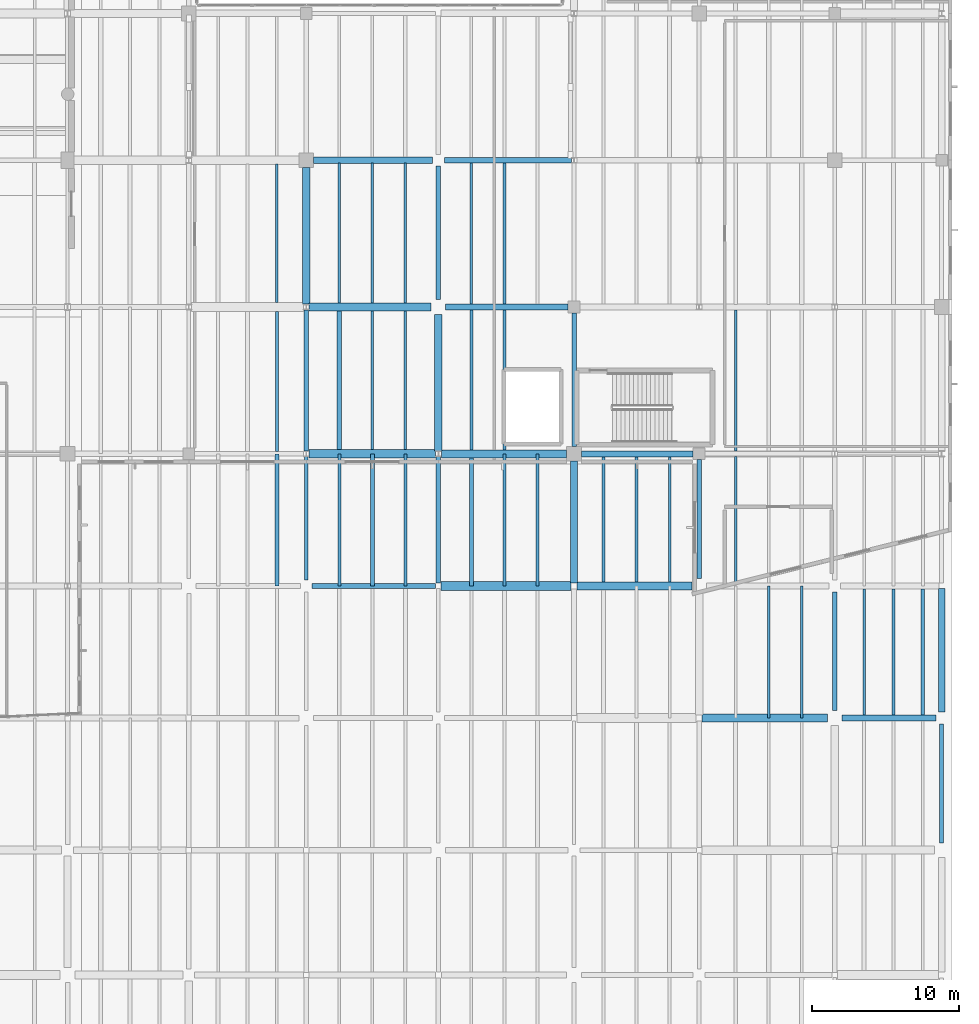
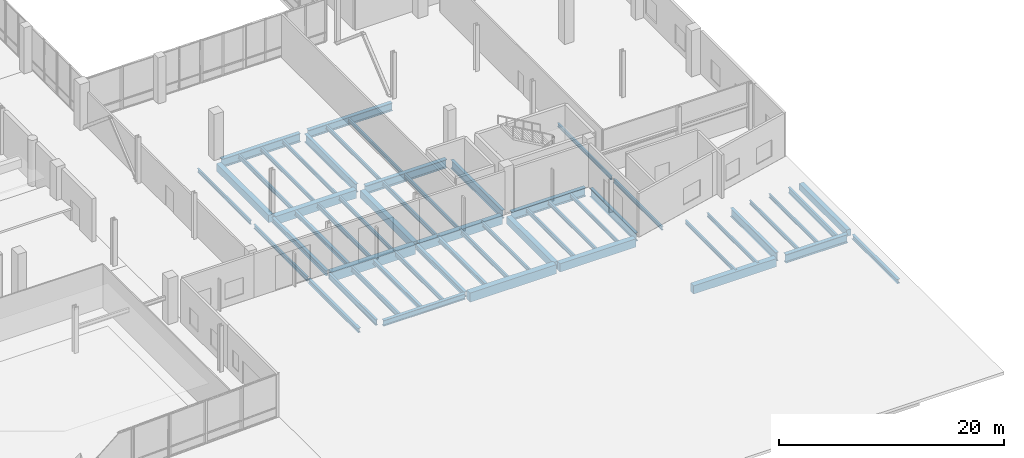
# One storey, part 51 of 88: 53 beams.
"""IFC4 building model written with IfcOpenShell, lengths in metres."""

from ifc_helpers import new_model, si_unit, direction, frame, origin, origin_2d, place, context, subcontext, project, spatial, rectangle, i_section, extrude, material, material_profile, profile_set, type_object, element, save


model = new_model("IFC4")

# Units and contexts
model_context = context("Model", 3, precision=1e-05, world=origin(), true_north=direction((0.0, 1.0)))
body_context = subcontext(model_context, "Body", "Model", "MODEL_VIEW")
ifc_project = project(units=[si_unit("LENGTHUNIT", "METRE"), si_unit("AREAUNIT", "SQUARE_METRE"), si_unit("VOLUMEUNIT", "CUBIC_METRE"), si_unit("PLANEANGLEUNIT", "RADIAN"), si_unit("MASSUNIT", "GRAM", prefix="KILO")], contexts=[model_context])

# Site, building, storey
site_placement = place(None, origin())
site = spatial("IfcSite", under=ifc_project, at=site_placement, CompositionType="ELEMENT")
building_placement = place(site_placement, origin())
building = spatial("IfcBuilding", under=site, at=building_placement, Name="Trimount Lyric Opera House", CompositionType="ELEMENT")
storey_placement = place(building_placement, origin())
storey = spatial("IfcBuildingStorey", under=building, at=storey_placement, Name="L00", CompositionType="ELEMENT", Elevation=0.0)

# Beams
ifc_material_1 = material(Name="Steel ASTM A992 Grade 50", Category="steel")
ifc_material_profile_1 = material_profile(ifc_material_1, i_section(OverallWidth=0.4189453125, OverallDepth=0.927001953125, WebThickness=0.019287109375, FlangeThickness=0.031982421875, FilletRadius=0.02392578125, at=origin_2d()), Name="W36X231")
ifc_profile_set_1 = profile_set([ifc_material_profile_1], Name="Steel ASTM A992 Grade 50")
beam_type_1 = type_object("IfcBeamType", Name="B-02", PredefinedType="BEAM", material=ifc_profile_set_1)
beam_1_placement = place(storey_placement, frame((166.5, 26.0, -0.763427734375), z_axis=(1.0, 0.0, 0.0), x_axis=(0.0, 1.0, 0.0)))
element("IfcBeam", 1, at=beam_1_placement, inside=storey, type_object=beam_type_1, Name="L00 girder X-0068", PredefinedType="BEAM", context=body_context, shape_type="SweptSolid", body=[
    extrude(i_section(OverallWidth=0.4189453125, OverallDepth=0.927001953125, WebThickness=0.019287109375, FlangeThickness=0.031982421875, FilletRadius=0.02392578125, at=origin_2d()), origin(), (0.0, 0.0, 1.0), 6.3798828125),
])
beam_2_placement = place(storey_placement, frame((148.739990234375, 44.0, -0.843505859375), z_axis=(1.0, 0.0, 0.0), x_axis=(0.0, 1.0, 0.0)))
element("IfcBeam", 2, at=beam_2_placement, inside=storey, type_object=beam_type_1, Name="L00 girder X-0100", PredefinedType="BEAM", context=body_context, shape_type="SweptSolid", body=[
    extrude(i_section(OverallWidth=0.4189453125, OverallDepth=0.927001953125, WebThickness=0.019287109375, FlangeThickness=0.031982421875, FilletRadius=0.02392578125, at=origin_2d()), origin(), (0.0, 0.0, 1.0), 7.6201171875),
])
beam_3_placement = place(storey_placement, frame((139.5, 54.0, -0.843505859375), z_axis=(1.0, 0.0, 0.0), x_axis=(0.0, 1.0, 0.0)))
element("IfcBeam", 3, at=beam_3_placement, inside=storey, type_object=beam_type_1, Name="L00 girder X-0118", PredefinedType="BEAM", context=body_context, shape_type="SweptSolid", body=[
    extrude(i_section(OverallWidth=0.4189453125, OverallDepth=0.927001953125, WebThickness=0.019287109375, FlangeThickness=0.031982421875, FilletRadius=0.02392578125, at=origin_2d()), origin(), (0.0, 0.0, 1.0), 8.340087890625),
])
beam_4_placement = place(storey_placement, frame((130.5, 64.0, -0.843505859375), z_axis=(1.0, 0.0, 0.0), x_axis=(0.0, 1.0, 0.0)))
element("IfcBeam", 4, at=beam_4_placement, inside=storey, type_object=beam_type_1, Name="L00 girder X-0136", PredefinedType="BEAM", context=body_context, shape_type="SweptSolid", body=[
    extrude(i_section(OverallWidth=0.4189453125, OverallDepth=0.927001953125, WebThickness=0.019287109375, FlangeThickness=0.031982421875, FilletRadius=0.02392578125, at=origin_2d()), origin(), (0.0, 0.0, 1.0), 8.10009765625),
])
ifc_material_2 = material(Name="Steel ASTM A992 Grade 50", Category="steel")
ifc_material_profile_2 = material_profile(ifc_material_2, i_section(OverallWidth=0.304931640625, OverallDepth=0.9189453125, WebThickness=0.017333984375, FlangeThickness=0.02783203125, FilletRadius=0.02001953125, at=origin_2d()), Name="W36X170")
ifc_profile_set_2 = profile_set([ifc_material_profile_2], Name="Steel ASTM A992 Grade 50")
beam_type_2 = type_object("IfcBeamType", Name="B-03", PredefinedType="BEAM", material=ifc_profile_set_2)
for number, where, z_axis, x_axis, name in (
    (5, (139.0, 54.5, -0.839599609375), (0.0, 1.0, 0.0), (-1.0, 0.0, 0.0), "L00 girder Y-0410"),
    (6, (148.239990234375, 44.5, -0.839599609375), (0.0, 1.0, 0.0), (-1.0, 0.0, 0.0), "L00 girder Y-0419"),
):
    element("IfcBeam", number, at=place(storey_placement, frame(where, z_axis=z_axis, x_axis=x_axis)), inside=storey, type_object=beam_type_2, Name=name, PredefinedType="BEAM", context=body_context, shape_type="SweptSolid", body=[
        extrude(i_section(OverallWidth=0.304931640625, OverallDepth=0.9189453125, WebThickness=0.017333984375, FlangeThickness=0.02783203125, FilletRadius=0.02001953125, at=origin_2d()), origin(), (0.0, 0.0, 1.0), 9.10009765625),
    ])
for number, where, z_axis, x_axis, name in (
    (7, (156.760009765625, 35.5, -0.839599609375), (0.0, 1.0, 0.0), (-1.0, 0.0, 0.0), "L00 girder Y-0431"),
    (8, (166.0, 26.5, -0.759521484375), (0.0, 1.0, 0.0), (-1.0, 0.0, 0.0), "L00 girder Y-0442"),
):
    element("IfcBeam", number, at=place(storey_placement, frame(where, z_axis=z_axis, x_axis=x_axis)), inside=storey, type_object=beam_type_2, Name=name, PredefinedType="BEAM", context=body_context, shape_type="SweptSolid", body=[
        extrude(i_section(OverallWidth=0.304931640625, OverallDepth=0.9189453125, WebThickness=0.017333984375, FlangeThickness=0.02783203125, FilletRadius=0.02001953125, at=origin_2d()), origin(), (0.0, 0.0, 1.0), 8.10009765625),
    ])
ifc_material_3 = material(Name="Steel ASTM A992 Grade 50", Category="steel")
ifc_material_profile_3 = material_profile(ifc_material_3, i_section(OverallWidth=0.40087890625, OverallDepth=0.861083984375, WebThickness=0.019775390625, FlangeThickness=0.032470703125, FilletRadius=0.02001953125, at=origin_2d()), Name="W33X221")
ifc_profile_set_3 = profile_set([ifc_material_profile_3], Name="Steel ASTM A992 Grade 50")
beam_type_3 = type_object("IfcBeamType", Name="B-04", PredefinedType="BEAM", material=ifc_profile_set_3)
beam_5_placement = place(storey_placement, frame((139.39990234375, 64.0, -0.810546875), z_axis=(1.0, 0.0, 0.0), x_axis=(0.0, 1.0, 0.0)))
element("IfcBeam", 9, at=beam_5_placement, inside=storey, type_object=beam_type_3, Name="L00 girder X-0137", PredefinedType="BEAM", context=body_context, shape_type="SweptSolid", body=[
    extrude(i_section(OverallWidth=0.40087890625, OverallDepth=0.861083984375, WebThickness=0.019775390625, FlangeThickness=0.032470703125, FilletRadius=0.02001953125, at=origin_2d()), origin(), (0.0, 0.0, 1.0), 8.653564453125),
])
ifc_material_4 = material(Name="Steel ASTM A992 Grade 50", Category="steel")
ifc_material_profile_4 = material_profile(ifc_material_4, i_section(OverallWidth=0.327880859375, OverallDepth=0.626953125, WebThickness=0.0166015625, FlangeThickness=0.027587890625, FilletRadius=0.01611328125, at=origin_2d()), Name="W24X146")
ifc_profile_set_4 = profile_set([ifc_material_profile_4], Name="Steel ASTM A992 Grade 50")
beam_type_4 = type_object("IfcBeamType", Name="B-10", PredefinedType="BEAM", material=ifc_profile_set_4)
beam_6_placement = place(storey_placement, frame((130.39990234375, 35.0, -0.613525390625), z_axis=(1.0, 0.0, 0.0), x_axis=(0.0, 1.0, 0.0)))
element("IfcBeam", 10, at=beam_6_placement, inside=storey, type_object=beam_type_4, Name="L00 girder X-0079", PredefinedType="BEAM", context=body_context, shape_type="SweptSolid", body=[
    extrude(i_section(OverallWidth=0.327880859375, OverallDepth=0.626953125, WebThickness=0.0166015625, FlangeThickness=0.027587890625, FilletRadius=0.01611328125, at=origin_2d()), origin(), (0.0, 0.0, 1.0), 8.41357421875),
])
ifc_material_5 = material(Name="Steel ASTM A992 Grade 50", Category="steel")
ifc_material_profile_5 = material_profile(ifc_material_5, i_section(OverallWidth=0.22998046875, OverallDepth=0.616943359375, WebThickness=0.01318359375, FlangeThickness=0.022216796875, FilletRadius=0.013916015625, at=origin_2d()), Name="W24X94")
ifc_profile_set_5 = profile_set([ifc_material_profile_5], Name="Steel ASTM A992 Grade 50")
beam_type_5 = type_object("IfcBeamType", Name="B-11", PredefinedType="BEAM", material=ifc_profile_set_5)
beam_7_placement = place(storey_placement, frame((130.0, 35.39990234375, -0.6884765625), z_axis=(0.0, 1.0, 0.0), x_axis=(-1.0, 0.0, 0.0)))
element("IfcBeam", 11, at=beam_7_placement, inside=storey, type_object=beam_type_5, Name="L00 girder Y-0398", PredefinedType="BEAM", context=body_context, shape_type="SweptSolid", body=[
    extrude(i_section(OverallWidth=0.22998046875, OverallDepth=0.616943359375, WebThickness=0.01318359375, FlangeThickness=0.022216796875, FilletRadius=0.013916015625, at=origin_2d()), origin(), (0.0, 0.0, 1.0), 8.416015625),
])
ifc_material_6 = material(Name="Steel ASTM A992 Grade 50", Category="steel")
ifc_material_profile_6 = material_profile(ifc_material_6, i_section(OverallWidth=0.31201171875, OverallDepth=0.5458984375, WebThickness=0.013916015625, FlangeThickness=0.022216796875, FilletRadius=0.014892578125, at=origin_2d()), Name="W21X111")
ifc_profile_set_6 = profile_set([ifc_material_profile_6], Name="Steel ASTM A992 Grade 50")
beam_type_6 = type_object("IfcBeamType", Name="B-12", PredefinedType="BEAM", material=ifc_profile_set_6)
beam_8_placement = place(storey_placement, frame((130.0, 44.18408203125, -0.653076171875), z_axis=(0.0, 1.0, 0.0), x_axis=(-1.0, 0.0, 0.0)))
element("IfcBeam", 12, at=beam_8_placement, inside=storey, type_object=beam_type_6, Name="L00 girder Y-0399", PredefinedType="BEAM", context=body_context, shape_type="SweptSolid", body=[
    extrude(i_section(OverallWidth=0.31201171875, OverallDepth=0.5458984375, WebThickness=0.013916015625, FlangeThickness=0.022216796875, FilletRadius=0.014892578125, at=origin_2d()), origin(), (0.0, 0.0, 1.0), 9.622802734375),
])
beam_9_placement = place(storey_placement, frame((139.0, 35.18408203125, -0.653076171875), z_axis=(0.0, 1.0, 0.0), x_axis=(-1.0, 0.0, 0.0)))
element("IfcBeam", 13, at=beam_9_placement, inside=storey, type_object=beam_type_6, Name="L00 girder Y-0408", PredefinedType="BEAM", context=body_context, shape_type="SweptSolid", body=[
    extrude(i_section(OverallWidth=0.31201171875, OverallDepth=0.5458984375, WebThickness=0.013916015625, FlangeThickness=0.022216796875, FilletRadius=0.014892578125, at=origin_2d()), origin(), (0.0, 0.0, 1.0), 8.622802734375),
])
ifc_material_7 = material(Name="Concrete C40/50", Category="concrete")
ifc_material_profile_7 = material_profile(ifc_material_7, rectangle(XDim=0.60009765625, YDim=1.0, at=origin_2d()), Name="RC600X1000")
ifc_profile_set_7 = profile_set([ifc_material_profile_7], Name="Concrete C40/50")
beam_type_7 = type_object("IfcBeamType", Name="B-13", PredefinedType="BEAM", material=ifc_profile_set_7)
beam_10_placement = place(storey_placement, frame((139.1865234375, 35.0, -0.800048828125), z_axis=(1.0, 0.0, 0.0), x_axis=(0.0, 1.0, 0.0)))
element("IfcBeam", 14, at=beam_10_placement, inside=storey, type_object=beam_type_7, Name="L00 girder X-0080", PredefinedType="BEAM", context=body_context, shape_type="SweptSolid", body=[
    extrude(rectangle(XDim=0.60009765625, YDim=1.0, at=origin_2d()), origin(), (0.0, 0.0, 1.0), 8.85400390625),
])
beam_11_placement = place(storey_placement, frame((130.1865234375, 44.0, -0.8798828125), z_axis=(1.0, 0.0, 0.0), x_axis=(0.0, 1.0, 0.0)))
element("IfcBeam", 15, at=beam_11_placement, inside=storey, type_object=beam_type_7, Name="L00 girder X-0098", PredefinedType="BEAM", context=body_context, shape_type="SweptSolid", body=[
    extrude(rectangle(XDim=0.60009765625, YDim=1.0, at=origin_2d()), origin(), (0.0, 0.0, 1.0), 8.614013671875),
])
ifc_material_8 = material(Name="Concrete C40/50", Category="concrete")
ifc_material_profile_8 = material_profile(ifc_material_8, rectangle(XDim=0.550048828125, YDim=0.89990234375, at=origin_2d()), Name="RC550X900")
ifc_profile_set_8 = profile_set([ifc_material_profile_8], Name="Concrete C40/50")
beam_type_8 = type_object("IfcBeamType", Name="B-14", PredefinedType="BEAM", material=ifc_profile_set_8)
beam_12_placement = place(storey_placement, frame((156.95947265625, 26.0, -0.75), z_axis=(1.0, 0.0, 0.0), x_axis=(0.0, 1.0, 0.0)))
element("IfcBeam", 16, at=beam_12_placement, inside=storey, type_object=beam_type_8, Name="L00 girder X-0067", PredefinedType="BEAM", context=body_context, shape_type="SweptSolid", body=[
    extrude(rectangle(XDim=0.550048828125, YDim=0.89990234375, at=origin_2d()), origin(), (0.0, 0.0, 1.0), 8.54052734375),
])
beam_13_placement = place(storey_placement, frame((148.439453125, 35.0, -0.830078125), z_axis=(1.0, 0.0, 0.0), x_axis=(0.0, 1.0, 0.0)))
element("IfcBeam", 17, at=beam_13_placement, inside=storey, type_object=beam_type_8, Name="L00 girder X-0081", PredefinedType="BEAM", context=body_context, shape_type="SweptSolid", body=[
    extrude(rectangle(XDim=0.550048828125, YDim=0.89990234375, at=origin_2d()), origin(), (0.0, 0.0, 1.0), 7.820556640625),
])
beam_14_placement = place(storey_placement, frame((139.199462890625, 44.0, -0.830078125), z_axis=(1.0, 0.0, 0.0), x_axis=(0.0, 1.0, 0.0)))
element("IfcBeam", 18, at=beam_14_placement, inside=storey, type_object=beam_type_8, Name="L00 girder X-0099", PredefinedType="BEAM", context=body_context, shape_type="SweptSolid", body=[
    extrude(rectangle(XDim=0.550048828125, YDim=0.89990234375, at=origin_2d()), origin(), (0.0, 0.0, 1.0), 8.54052734375),
])
beam_15_placement = place(storey_placement, frame((130.199462890625, 54.0, -0.830078125), z_axis=(1.0, 0.0, 0.0), x_axis=(0.0, 1.0, 0.0)))
element("IfcBeam", 19, at=beam_15_placement, inside=storey, type_object=beam_type_8, Name="L00 girder X-0117", PredefinedType="BEAM", context=body_context, shape_type="SweptSolid", body=[
    extrude(rectangle(XDim=0.550048828125, YDim=0.89990234375, at=origin_2d()), origin(), (0.0, 0.0, 1.0), 8.300537109375),
])
ifc_material_9 = material(Name="Concrete C40/50", Category="concrete")
ifc_material_profile_9 = material_profile(ifc_material_9, rectangle(XDim=0.5, YDim=0.800048828125, at=origin_2d()), Name="RC500X800")
ifc_profile_set_9 = profile_set([ifc_material_profile_9], Name="Concrete C40/50")
beam_type_9 = type_object("IfcBeamType", Name="B-15", PredefinedType="BEAM", material=ifc_profile_set_9)
for number, where, z_axis, x_axis, name in (
    (20, (130.0, 54.193115234375, -0.780029296875), (0.0, 1.0, 0.0), (-1.0, 0.0, 0.0), "L00 girder Y-0400"),
    (21, (139.0, 44.193115234375, -0.780029296875), (0.0, 1.0, 0.0), (-1.0, 0.0, 0.0), "L00 girder Y-0409"),
):
    element("IfcBeam", number, at=place(storey_placement, frame(where, z_axis=z_axis, x_axis=x_axis)), inside=storey, type_object=beam_type_9, Name=name, PredefinedType="BEAM", context=body_context, shape_type="SweptSolid", body=[
        extrude(rectangle(XDim=0.5, YDim=0.800048828125, at=origin_2d()), origin(), (0.0, 0.0, 1.0), 9.306884765625),
    ])
beam_16_placement = place(storey_placement, frame((148.239990234375, 35.193115234375, -0.780029296875), z_axis=(0.0, 1.0, 0.0), x_axis=(-1.0, 0.0, 0.0)))
element("IfcBeam", 22, at=beam_16_placement, inside=storey, type_object=beam_type_9, Name="L00 girder Y-0418", PredefinedType="BEAM", context=body_context, shape_type="SweptSolid", body=[
    extrude(rectangle(XDim=0.5, YDim=0.800048828125, at=origin_2d()), origin(), (0.0, 0.0, 1.0), 8.306884765625),
])
ifc_material_10 = material(Name="Steel ASTM A992 Grade 50", Category="steel")
ifc_material_profile_10 = material_profile(ifc_material_10, i_section(OverallWidth=0.22802734375, OverallDepth=0.60205078125, WebThickness=0.010498046875, FlangeThickness=0.014892578125, FilletRadius=0.012939453125, at=origin_2d()), Name="W24X68")
ifc_profile_set_10 = profile_set([ifc_material_profile_10], Name="Steel ASTM A992 Grade 50")
beam_type_10 = type_object("IfcBeamType", Name="J-01", PredefinedType="BEAM", material=ifc_profile_set_10)
beam_17_placement = place(storey_placement, frame((172.0, 26.20556640625, -0.60107421875), z_axis=(0.0, 1.0, 0.0), x_axis=(-1.0, 0.0, 0.0)))
element("IfcBeam", 23, at=beam_17_placement, inside=storey, type_object=beam_type_10, Name="L00 composite floor joist 0544", PredefinedType="BEAM", context=body_context, shape_type="SweptSolid", body=[
    extrude(i_section(OverallWidth=0.22802734375, OverallDepth=0.60205078125, WebThickness=0.010498046875, FlangeThickness=0.014892578125, FilletRadius=0.012939453125, at=origin_2d()), origin(), (0.0, 0.0, 1.0), 8.597900390625),
])
ifc_material_11 = material(Name="Steel ASTM A992 Grade 50", Category="steel")
ifc_material_profile_11 = material_profile(ifc_material_11, i_section(OverallWidth=0.2099609375, OverallDepth=0.532958984375, WebThickness=0.01025390625, FlangeThickness=0.015625, FilletRadius=0.012939453125, at=origin_2d()), Name="W21X62")
ifc_profile_set_11 = profile_set([ifc_material_profile_11], Name="Steel ASTM A992 Grade 50")
beam_type_11 = type_object("IfcBeamType", Name="J-02", PredefinedType="BEAM", material=ifc_profile_set_11)
beam_18_placement = place(storey_placement, frame((132.25, 35.011962890625, -0.646484375), z_axis=(0.0, 1.0, 0.0), x_axis=(-1.0, 0.0, 0.0)))
element("IfcBeam", 24, at=beam_18_placement, inside=storey, type_object=beam_type_11, Name="L00 composite floor joist 0411", PredefinedType="BEAM", context=body_context, shape_type="SweptSolid", body=[
    extrude(i_section(OverallWidth=0.2099609375, OverallDepth=0.532958984375, WebThickness=0.01025390625, FlangeThickness=0.015625, FilletRadius=0.012939453125, at=origin_2d()), origin(), (0.0, 0.0, 1.0), 8.97607421875),
])
ifc_material_12 = material(Name="Steel ASTM A992 Grade 50", Category="steel")
ifc_material_profile_12 = material_profile(ifc_material_12, i_section(OverallWidth=0.281982421875, OverallDepth=0.467041015625, WebThickness=0.01220703125, FlangeThickness=0.01953125, FilletRadius=0.012939453125, at=origin_2d()), Name="W18X86")
ifc_profile_set_12 = profile_set([ifc_material_profile_12], Name="Steel ASTM A992 Grade 50")
beam_type_12 = type_object("IfcBeamType", Name="J-03", PredefinedType="BEAM", material=ifc_profile_set_12)
for number, where, z_axis, x_axis, name in (
    (25, (128.0, 35.011962890625, -0.613525390625), (0.0, 1.0, 0.0), (-1.0, 0.0, 0.0), "L00 composite floor joist 0383"),
    (26, (134.5, 35.011962890625, -0.613525390625), (0.0, 1.0, 0.0), (-1.0, 0.0, 0.0), "L00 composite floor joist 0412"),
):
    element("IfcBeam", number, at=place(storey_placement, frame(where, z_axis=z_axis, x_axis=x_axis)), inside=storey, type_object=beam_type_12, Name=name, PredefinedType="BEAM", context=body_context, shape_type="SweptSolid", body=[
        extrude(i_section(OverallWidth=0.281982421875, OverallDepth=0.467041015625, WebThickness=0.01220703125, FlangeThickness=0.01953125, FilletRadius=0.012939453125, at=origin_2d()), origin(), (0.0, 0.0, 1.0), 8.97607421875),
    ])
beam_19_placement = place(storey_placement, frame((132.25, 44.2958984375, -0.613525390625), z_axis=(0.0, 1.0, 0.0), x_axis=(-1.0, 0.0, 0.0)))
element("IfcBeam", 27, at=beam_19_placement, inside=storey, type_object=beam_type_12, Name="L00 composite floor joist 0414", PredefinedType="BEAM", context=body_context, shape_type="SweptSolid", body=[
    extrude(i_section(OverallWidth=0.281982421875, OverallDepth=0.467041015625, WebThickness=0.01220703125, FlangeThickness=0.01953125, FilletRadius=0.012939453125, at=origin_2d()), origin(), (0.0, 0.0, 1.0), 9.43310546875),
])
beam_20_placement = place(storey_placement, frame((141.25, 35.011962890625, -0.613525390625), z_axis=(0.0, 1.0, 0.0), x_axis=(-1.0, 0.0, 0.0)))
element("IfcBeam", 28, at=beam_20_placement, inside=storey, type_object=beam_type_12, Name="L00 composite floor joist 0441", PredefinedType="BEAM", context=body_context, shape_type="SweptSolid", body=[
    extrude(i_section(OverallWidth=0.281982421875, OverallDepth=0.467041015625, WebThickness=0.01220703125, FlangeThickness=0.01953125, FilletRadius=0.012939453125, at=origin_2d()), origin(), (0.0, 0.0, 1.0), 8.97607421875),
])
ifc_material_13 = material(Name="Steel ASTM A992 Grade 50", Category="steel")
ifc_material_profile_13 = material_profile(ifc_material_13, i_section(OverallWidth=0.19091796875, OverallDepth=0.45703125, WebThickness=0.009033203125, FlangeThickness=0.014404296875, FilletRadius=0.010986328125, at=origin_2d()), Name="W18X50")
ifc_profile_set_13 = profile_set([ifc_material_profile_13], Name="Steel ASTM A992 Grade 50")
beam_type_13 = type_object("IfcBeamType", Name="J-04", PredefinedType="BEAM", material=ifc_profile_set_13)
beam_21_placement = place(storey_placement, frame((128.0, 44.159912109375, -0.6083984375), z_axis=(0.0, 1.0, 0.0), x_axis=(-1.0, 0.0, 0.0)))
element("IfcBeam", 29, at=beam_21_placement, inside=storey, type_object=beam_type_13, Name="L00 composite floor joist 0386", PredefinedType="BEAM", context=body_context, shape_type="SweptSolid", body=[
    extrude(i_section(OverallWidth=0.19091796875, OverallDepth=0.45703125, WebThickness=0.009033203125, FlangeThickness=0.014404296875, FilletRadius=0.010986328125, at=origin_2d()), origin(), (0.0, 0.0, 1.0), 9.544189453125),
])
beam_22_placement = place(storey_placement, frame((136.75, 35.011962890625, -0.6083984375), z_axis=(0.0, 1.0, 0.0), x_axis=(-1.0, 0.0, 0.0)))
element("IfcBeam", 30, at=beam_22_placement, inside=storey, type_object=beam_type_13, Name="L00 composite floor joist 0413", PredefinedType="BEAM", context=body_context, shape_type="SweptSolid", body=[
    extrude(i_section(OverallWidth=0.19091796875, OverallDepth=0.45703125, WebThickness=0.009033203125, FlangeThickness=0.014404296875, FilletRadius=0.010986328125, at=origin_2d()), origin(), (0.0, 0.0, 1.0), 8.97607421875),
])
beam_23_placement = place(storey_placement, frame((134.5, 44.2958984375, -0.6083984375), z_axis=(0.0, 1.0, 0.0), x_axis=(-1.0, 0.0, 0.0)))
element("IfcBeam", 31, at=beam_23_placement, inside=storey, type_object=beam_type_13, Name="L00 composite floor joist 0415", PredefinedType="BEAM", context=body_context, shape_type="SweptSolid", body=[
    extrude(i_section(OverallWidth=0.19091796875, OverallDepth=0.45703125, WebThickness=0.009033203125, FlangeThickness=0.014404296875, FilletRadius=0.010986328125, at=origin_2d()), origin(), (0.0, 0.0, 1.0), 9.43310546875),
])
beam_24_placement = place(storey_placement, frame((132.25, 54.27099609375, -0.6083984375), z_axis=(0.0, 1.0, 0.0), x_axis=(-1.0, 0.0, 0.0)))
element("IfcBeam", 32, at=beam_24_placement, inside=storey, type_object=beam_type_13, Name="L00 composite floor joist 0417", PredefinedType="BEAM", context=body_context, shape_type="SweptSolid", body=[
    extrude(i_section(OverallWidth=0.19091796875, OverallDepth=0.45703125, WebThickness=0.009033203125, FlangeThickness=0.014404296875, FilletRadius=0.010986328125, at=origin_2d()), origin(), (0.0, 0.0, 1.0), 9.5234375),
])
beam_25_placement = place(storey_placement, frame((143.5, 35.011962890625, -0.6083984375), z_axis=(0.0, 1.0, 0.0), x_axis=(-1.0, 0.0, 0.0)))
element("IfcBeam", 33, at=beam_25_placement, inside=storey, type_object=beam_type_13, Name="L00 composite floor joist 0442", PredefinedType="BEAM", context=body_context, shape_type="SweptSolid", body=[
    extrude(i_section(OverallWidth=0.19091796875, OverallDepth=0.45703125, WebThickness=0.009033203125, FlangeThickness=0.014404296875, FilletRadius=0.010986328125, at=origin_2d()), origin(), (0.0, 0.0, 1.0), 8.97607421875),
])
beam_26_placement = place(storey_placement, frame((141.25, 44.27099609375, -0.6083984375), z_axis=(0.0, 1.0, 0.0), x_axis=(-1.0, 0.0, 0.0)))
element("IfcBeam", 34, at=beam_26_placement, inside=storey, type_object=beam_type_13, Name="L00 composite floor joist 0444", PredefinedType="BEAM", context=body_context, shape_type="SweptSolid", body=[
    extrude(i_section(OverallWidth=0.19091796875, OverallDepth=0.45703125, WebThickness=0.009033203125, FlangeThickness=0.014404296875, FilletRadius=0.010986328125, at=origin_2d()), origin(), (0.0, 0.0, 1.0), 9.5234375),
])
beam_27_placement = place(storey_placement, frame((150.25, 35.27099609375, -0.6083984375), z_axis=(0.0, 1.0, 0.0), x_axis=(-1.0, 0.0, 0.0)))
element("IfcBeam", 35, at=beam_27_placement, inside=storey, type_object=beam_type_13, Name="L00 composite floor joist 0470", PredefinedType="BEAM", context=body_context, shape_type="SweptSolid", body=[
    extrude(i_section(OverallWidth=0.19091796875, OverallDepth=0.45703125, WebThickness=0.009033203125, FlangeThickness=0.014404296875, FilletRadius=0.010986328125, at=origin_2d()), origin(), (0.0, 0.0, 1.0), 8.5234375),
])
ifc_material_14 = material(Name="Steel ASTM A992 Grade 50", Category="steel")
ifc_material_profile_14 = material_profile(ifc_material_14, i_section(OverallWidth=0.180908203125, OverallDepth=0.4169921875, WebThickness=0.010986328125, FlangeThickness=0.018310546875, FilletRadius=0.010986328125, at=origin_2d()), Name="W16X57")
ifc_profile_set_14 = profile_set([ifc_material_profile_14], Name="Steel ASTM A992 Grade 50")
beam_type_14 = type_object("IfcBeamType", Name="J-05", PredefinedType="BEAM", material=ifc_profile_set_14)
for number, where, z_axis, x_axis, name in (
    (36, (128.0, 54.2958984375, -0.58837890625), (0.0, 1.0, 0.0), (-1.0, 0.0, 0.0), "L00 composite floor joist 0389"),
    (37, (136.75, 44.2958984375, -0.58837890625), (0.0, 1.0, 0.0), (-1.0, 0.0, 0.0), "L00 composite floor joist 0416"),
):
    element("IfcBeam", number, at=place(storey_placement, frame(where, z_axis=z_axis, x_axis=x_axis)), inside=storey, type_object=beam_type_14, Name=name, PredefinedType="BEAM", context=body_context, shape_type="SweptSolid", body=[
        extrude(i_section(OverallWidth=0.180908203125, OverallDepth=0.4169921875, WebThickness=0.010986328125, FlangeThickness=0.018310546875, FilletRadius=0.010986328125, at=origin_2d()), origin(), (0.0, 0.0, 1.0), 9.43310546875),
    ])
beam_28_placement = place(storey_placement, frame((134.5, 54.27099609375, -0.58837890625), z_axis=(0.0, 1.0, 0.0), x_axis=(-1.0, 0.0, 0.0)))
element("IfcBeam", 38, at=beam_28_placement, inside=storey, type_object=beam_type_14, Name="L00 composite floor joist 0418", PredefinedType="BEAM", context=body_context, shape_type="SweptSolid", body=[
    extrude(i_section(OverallWidth=0.180908203125, OverallDepth=0.4169921875, WebThickness=0.010986328125, FlangeThickness=0.018310546875, FilletRadius=0.010986328125, at=origin_2d()), origin(), (0.0, 0.0, 1.0), 9.5234375),
])
beam_29_placement = place(storey_placement, frame((145.75, 35.011962890625, -0.58837890625), z_axis=(0.0, 1.0, 0.0), x_axis=(-1.0, 0.0, 0.0)))
element("IfcBeam", 39, at=beam_29_placement, inside=storey, type_object=beam_type_14, Name="L00 composite floor joist 0443", PredefinedType="BEAM", context=body_context, shape_type="SweptSolid", body=[
    extrude(i_section(OverallWidth=0.180908203125, OverallDepth=0.4169921875, WebThickness=0.010986328125, FlangeThickness=0.018310546875, FilletRadius=0.010986328125, at=origin_2d()), origin(), (0.0, 0.0, 1.0), 8.97607421875),
])
beam_30_placement = place(storey_placement, frame((143.5, 44.27099609375, -0.58837890625), z_axis=(0.0, 1.0, 0.0), x_axis=(-1.0, 0.0, 0.0)))
element("IfcBeam", 40, at=beam_30_placement, inside=storey, type_object=beam_type_14, Name="L00 composite floor joist 0445", PredefinedType="BEAM", context=body_context, shape_type="SweptSolid", body=[
    extrude(i_section(OverallWidth=0.180908203125, OverallDepth=0.4169921875, WebThickness=0.010986328125, FlangeThickness=0.018310546875, FilletRadius=0.010986328125, at=origin_2d()), origin(), (0.0, 0.0, 1.0), 9.5234375),
])
beam_31_placement = place(storey_placement, frame((141.25, 54.20556640625, -0.58837890625), z_axis=(0.0, 1.0, 0.0), x_axis=(-1.0, 0.0, 0.0)))
element("IfcBeam", 41, at=beam_31_placement, inside=storey, type_object=beam_type_14, Name="L00 composite floor joist 0446", PredefinedType="BEAM", context=body_context, shape_type="SweptSolid", body=[
    extrude(i_section(OverallWidth=0.180908203125, OverallDepth=0.4169921875, WebThickness=0.010986328125, FlangeThickness=0.018310546875, FilletRadius=0.010986328125, at=origin_2d()), origin(), (0.0, 0.0, 1.0), 9.597900390625),
])
beam_32_placement = place(storey_placement, frame((152.5, 35.27099609375, -0.58837890625), z_axis=(0.0, 1.0, 0.0), x_axis=(-1.0, 0.0, 0.0)))
element("IfcBeam", 42, at=beam_32_placement, inside=storey, type_object=beam_type_14, Name="L00 composite floor joist 0471", PredefinedType="BEAM", context=body_context, shape_type="SweptSolid", body=[
    extrude(i_section(OverallWidth=0.180908203125, OverallDepth=0.4169921875, WebThickness=0.010986328125, FlangeThickness=0.018310546875, FilletRadius=0.010986328125, at=origin_2d()), origin(), (0.0, 0.0, 1.0), 8.5234375),
])
beam_33_placement = place(storey_placement, frame((161.5, 26.011962890625, -0.508544921875), z_axis=(0.0, 1.0, 0.0), x_axis=(-1.0, 0.0, 0.0)))
element("IfcBeam", 43, at=beam_33_placement, inside=storey, type_object=beam_type_14, Name="L00 composite floor joist 0504", PredefinedType="BEAM", context=body_context, shape_type="SweptSolid", body=[
    extrude(i_section(OverallWidth=0.180908203125, OverallDepth=0.4169921875, WebThickness=0.010986328125, FlangeThickness=0.018310546875, FilletRadius=0.010986328125, at=origin_2d()), origin(), (0.0, 0.0, 1.0), 8.97607421875),
])
for number, where, z_axis, x_axis, name in (
    (44, (159.25, 35.20556640625, -0.58837890625), (0.0, 1.0, 0.0), (-1.0, 0.0, 0.0), "L00 composite floor joist 0506"),
    (45, (168.0, 26.20556640625, -0.508544921875), (0.0, 1.0, 0.0), (-1.0, 0.0, 0.0), "L00 composite floor joist 0542"),
):
    element("IfcBeam", number, at=place(storey_placement, frame(where, z_axis=z_axis, x_axis=x_axis)), inside=storey, type_object=beam_type_14, Name=name, PredefinedType="BEAM", context=body_context, shape_type="SweptSolid", body=[
        extrude(i_section(OverallWidth=0.180908203125, OverallDepth=0.4169921875, WebThickness=0.010986328125, FlangeThickness=0.018310546875, FilletRadius=0.010986328125, at=origin_2d()), origin(), (0.0, 0.0, 1.0), 8.597900390625),
    ])
ifc_material_15 = material(Name="Steel ASTM A992 Grade 50", Category="steel")
ifc_material_profile_15 = material_profile(ifc_material_15, i_section(OverallWidth=0.177978515625, OverallDepth=0.404052734375, WebThickness=0.007568359375, FlangeThickness=0.010986328125, FilletRadius=0.010009765625, at=origin_2d()), Name="W16X36")
ifc_profile_set_15 = profile_set([ifc_material_profile_15], Name="Steel ASTM A992 Grade 50")
beam_type_15 = type_object("IfcBeamType", Name="J-06", PredefinedType="BEAM", material=ifc_profile_set_15)
beam_34_placement = place(storey_placement, frame((136.75, 54.27099609375, -0.58203125), z_axis=(0.0, 1.0, 0.0), x_axis=(-1.0, 0.0, 0.0)))
element("IfcBeam", 46, at=beam_34_placement, inside=storey, type_object=beam_type_15, Name="L00 composite floor joist 0419", PredefinedType="BEAM", context=body_context, shape_type="SweptSolid", body=[
    extrude(i_section(OverallWidth=0.177978515625, OverallDepth=0.404052734375, WebThickness=0.007568359375, FlangeThickness=0.010986328125, FilletRadius=0.010009765625, at=origin_2d()), origin(), (0.0, 0.0, 1.0), 9.5234375),
])
beam_35_placement = place(storey_placement, frame((143.5, 54.20556640625, -0.58203125), z_axis=(0.0, 1.0, 0.0), x_axis=(-1.0, 0.0, 0.0)))
element("IfcBeam", 47, at=beam_35_placement, inside=storey, type_object=beam_type_15, Name="L00 composite floor joist 0447", PredefinedType="BEAM", context=body_context, shape_type="SweptSolid", body=[
    extrude(i_section(OverallWidth=0.177978515625, OverallDepth=0.404052734375, WebThickness=0.007568359375, FlangeThickness=0.010986328125, FilletRadius=0.010009765625, at=origin_2d()), origin(), (0.0, 0.0, 1.0), 9.597900390625),
])
beam_36_placement = place(storey_placement, frame((154.75, 35.27099609375, -0.58203125), z_axis=(0.0, 1.0, 0.0), x_axis=(-1.0, 0.0, 0.0)))
element("IfcBeam", 48, at=beam_36_placement, inside=storey, type_object=beam_type_15, Name="L00 composite floor joist 0472", PredefinedType="BEAM", context=body_context, shape_type="SweptSolid", body=[
    extrude(i_section(OverallWidth=0.177978515625, OverallDepth=0.404052734375, WebThickness=0.007568359375, FlangeThickness=0.010986328125, FilletRadius=0.010009765625, at=origin_2d()), origin(), (0.0, 0.0, 1.0), 8.5234375),
])
beam_37_placement = place(storey_placement, frame((163.75, 26.011962890625, -0.501953125), z_axis=(0.0, 1.0, 0.0), x_axis=(-1.0, 0.0, 0.0)))
element("IfcBeam", 49, at=beam_37_placement, inside=storey, type_object=beam_type_15, Name="L00 composite floor joist 0505", PredefinedType="BEAM", context=body_context, shape_type="SweptSolid", body=[
    extrude(i_section(OverallWidth=0.177978515625, OverallDepth=0.404052734375, WebThickness=0.007568359375, FlangeThickness=0.010986328125, FilletRadius=0.010009765625, at=origin_2d()), origin(), (0.0, 0.0, 1.0), 8.97607421875),
])
beam_38_placement = place(storey_placement, frame((159.25, 44.196533203125, -0.58203125), z_axis=(0.0, 1.0, 0.0), x_axis=(-1.0, 0.0, 0.0)))
element("IfcBeam", 50, at=beam_38_placement, inside=storey, type_object=beam_type_15, Name="L00 composite floor joist 0509", PredefinedType="BEAM", context=body_context, shape_type="SweptSolid", body=[
    extrude(i_section(OverallWidth=0.177978515625, OverallDepth=0.404052734375, WebThickness=0.007568359375, FlangeThickness=0.010986328125, FilletRadius=0.010009765625, at=origin_2d()), origin(), (0.0, 0.0, 1.0), 9.616455078125),
])
beam_39_placement = place(storey_placement, frame((170.0, 26.20556640625, -0.501953125), z_axis=(0.0, 1.0, 0.0), x_axis=(-1.0, 0.0, 0.0)))
element("IfcBeam", 51, at=beam_39_placement, inside=storey, type_object=beam_type_15, Name="L00 composite floor joist 0543", PredefinedType="BEAM", context=body_context, shape_type="SweptSolid", body=[
    extrude(i_section(OverallWidth=0.177978515625, OverallDepth=0.404052734375, WebThickness=0.007568359375, FlangeThickness=0.010986328125, FilletRadius=0.010009765625, at=origin_2d()), origin(), (0.0, 0.0, 1.0), 8.597900390625),
])
ifc_material_16 = material(Name="Steel ASTM A992 Grade 50", Category="steel")
ifc_material_profile_16 = material_profile(ifc_material_16, i_section(OverallWidth=0.281982421875, OverallDepth=0.467041015625, WebThickness=0.01220703125, FlangeThickness=0.01953125, FilletRadius=0.012939453125, at=origin_2d()), Name="W18X86")
ifc_profile_set_16 = profile_set([ifc_material_profile_16], Name="Steel ASTM A992 Grade 50")
beam_type_16 = type_object("IfcBeamType", Name="SP-01", PredefinedType="SPANDREL", material=ifc_profile_set_16)
beam_40_placement = place(storey_placement, frame((173.280029296875, 17.5, -0.533447265625), z_axis=(0.0, 1.0, 0.0), x_axis=(-1.0, 0.0, 0.0)))
element("IfcBeam", 52, at=beam_40_placement, inside=storey, type_object=beam_type_16, Name="L00 girder Y-0454", PredefinedType="SPANDREL", context=body_context, shape_type="SweptSolid", body=[
    extrude(i_section(OverallWidth=0.281982421875, OverallDepth=0.467041015625, WebThickness=0.01220703125, FlangeThickness=0.01953125, FilletRadius=0.012939453125, at=origin_2d()), origin(), (0.0, 0.0, 1.0), 8.10009765625),
])
ifc_material_17 = material(Name="Concrete C40/50", Category="concrete")
ifc_material_profile_17 = material_profile(ifc_material_17, rectangle(XDim=0.449951171875, YDim=0.699951171875, at=origin_2d()), Name="RC450X700")
ifc_profile_set_17 = profile_set([ifc_material_profile_17], Name="Concrete C40/50")
beam_type_17 = type_object("IfcBeamType", Name="SP-02", PredefinedType="SPANDREL", material=ifc_profile_set_17)
beam_41_placement = place(storey_placement, frame((173.280029296875, 26.39990234375, -0.64990234375), z_axis=(0.0, 1.0, 0.0), x_axis=(-1.0, 0.0, 0.0)))
element("IfcBeam", 53, at=beam_41_placement, inside=storey, type_object=beam_type_17, Name="L00 girder Y-0455", PredefinedType="SPANDREL", context=body_context, shape_type="SweptSolid", body=[
    extrude(rectangle(XDim=0.449951171875, YDim=0.699951171875, at=origin_2d()), origin(), (0.0, 0.0, 1.0), 8.416015625),
])

save(model, "model.ifc")
